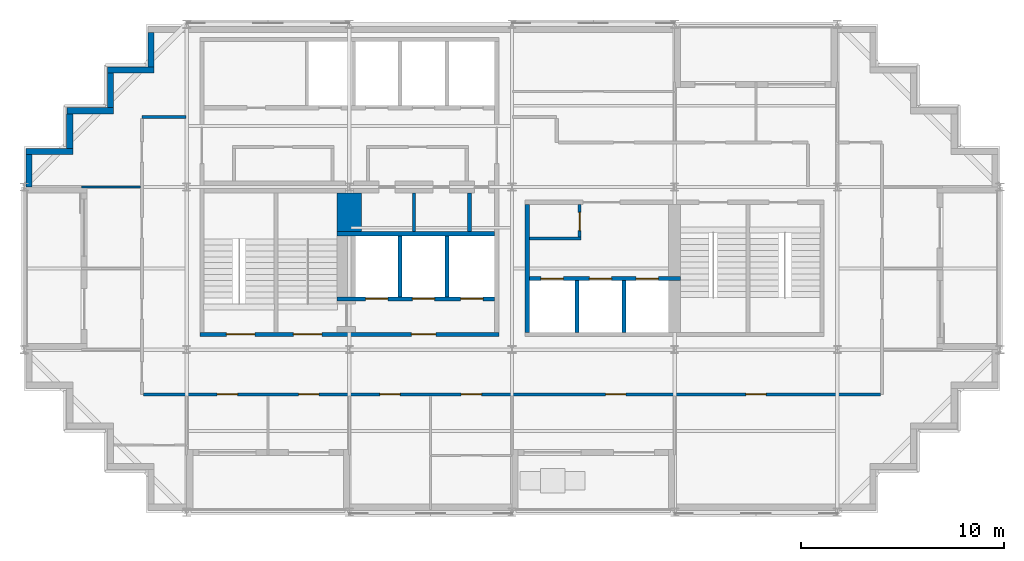
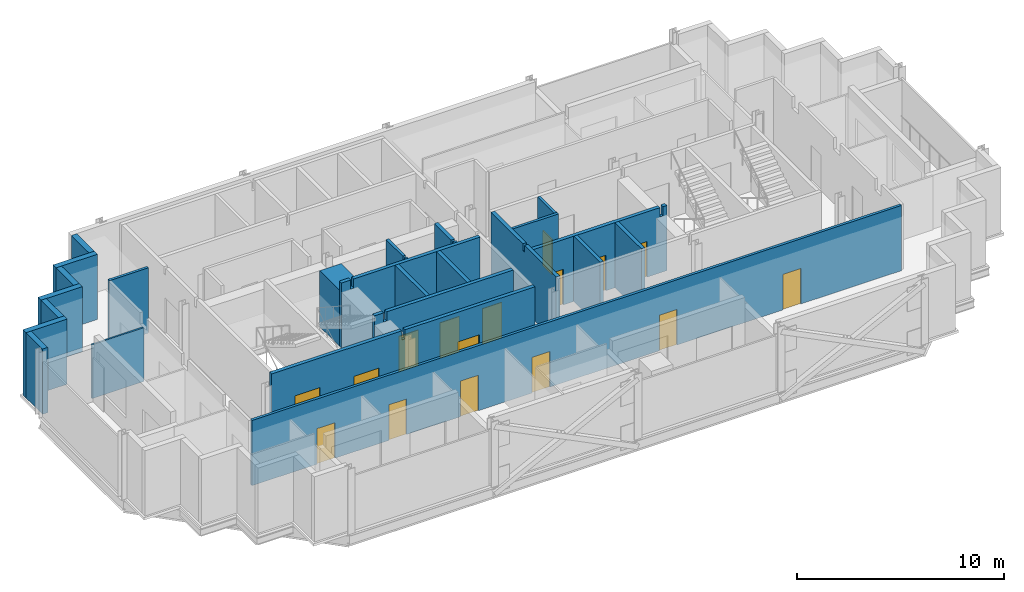
# One storey, part 5 of 10: 24 walls, 16 doors, 16 openings.
"""IFC4 building model written with IfcOpenShell, lengths in metres."""

from ifc_helpers import new_model, si_unit, direction, frame, frame_2d, origin, place, context, subcontext, project, spatial, polyline, rectangle, outline, extrude, material, layer, layer_set, type_object, element, fill, save


model = new_model("IFC4")

# Units and contexts
model_context = context("Model", 3, precision=1e-05, world=origin(), true_north=direction((0.0, 1.0)))
body_context = subcontext(model_context, "Body", "Model", "MODEL_VIEW")
ifc_project = project(units=[si_unit("LENGTHUNIT", "METRE"), si_unit("AREAUNIT", "SQUARE_METRE"), si_unit("VOLUMEUNIT", "CUBIC_METRE"), si_unit("PLANEANGLEUNIT", "RADIAN"), si_unit("MASSUNIT", "GRAM", prefix="KILO")], contexts=[model_context])

# Site, building, storey
site_placement = place(None, origin())
site = spatial("IfcSite", under=ifc_project, at=site_placement, CompositionType="ELEMENT")
building_placement = place(site_placement, origin())
building = spatial("IfcBuilding", under=site, at=building_placement, Name="Immortelle Media Tower", CompositionType="ELEMENT")
storey_placement = place(building_placement, frame((0.0, 0.0, 233.0)))
storey = spatial("IfcBuildingStorey", under=building, at=storey_placement, Name="L50", CompositionType="ELEMENT", Elevation=233.0)

# Walls
ifc_material_1 = material(Name="Fire-rated gypsum board", Category="gypsum")
ifc_layer_1 = layer(ifc_material_1, 0.02490234375)
ifc_material_2 = material(Name="Steel ASTM A653 SS Gr 50 stud frame with mineral wool", Category="steel")
ifc_layer_2 = layer(ifc_material_2, 0.10009765625)
ifc_layer_3 = layer(ifc_material_1, 0.02490234375)
ifc_layer_set_1 = layer_set([ifc_layer_1, ifc_layer_2, ifc_layer_3], Name="Steel ASTM A653 SS Gr 50 stud frame with mineral wool")
wall_type_1 = type_object("IfcWallType", Name="Core partition 150", PredefinedType="PARTITIONING", material=ifc_layer_set_1)
wall_1_placement = place(storey_placement, frame((19.175048828125, 13.800048828125, 0.0), z_axis=(0.0, 0.0, 1.0), x_axis=(0.0, 1.0, 0.0)))
element("IfcWall", 1, at=wall_1_placement, inside=storey, type_object=wall_type_1, Name="Core partition SW", PredefinedType="PARTITIONING", context=body_context, shape_type="SweptSolid", body=[
    extrude(outline(polyline([(0.0, 0.0), (1.89990234375, 0.0), (1.89990234375, 3.85009765625), (0.27490234375, 3.85009765625), (0.27392578125, 3.43994140625), (0.1259765625, 3.43994140625), (0.125, 3.85009765625), (0.0, 3.85009765625), (0.0, 0.0)])), frame((0.0, 0.074951171875, 0.0), z_axis=(0.0, -1.0, 0.0), x_axis=(1.0, 0.0, 0.0)), (0.0, 0.0, 1.0), 0.14990234375),
])
wall_2_placement = place(storey_placement, frame((24.85009765625, 13.47509765625, 0.0), z_axis=(0.0, 0.0, 1.0), x_axis=(1.0, 0.0, 0.0)))
element("IfcWall", 2, at=wall_2_placement, inside=storey, type_object=wall_type_1, Name="Core partition SE", PredefinedType="PARTITIONING", context=body_context, shape_type="SweptSolid", body=[
    extrude(rectangle(XDim=2.5498046875, YDim=0.14990234375, at=frame_2d((1.27490234375, 0.0))), origin(), (0.0, 0.0, 1.0), 3.85009765625),
])

# Wall, opening, door
wall_3_placement = place(storey_placement, frame((27.324951171875, 13.550048828125, 0.0), z_axis=(0.0, 0.0, 1.0), x_axis=(0.0, 1.0, 0.0)))
wall_3 = element("IfcWall", 3, at=wall_3_placement, inside=storey, type_object=wall_type_1, Name="Core partition SE", PredefinedType="PARTITIONING", context=body_context, shape_type="SweptSolid", body=[
    extrude(rectangle(XDim=1.599853515625, YDim=0.14990234375, at=frame_2d((0.7998046875, 0.0))), origin(), (0.0, 0.0, 1.0), 3.85009765625),
])
opening_1_placement = place(wall_3_placement, frame((0.300048828125, 0.0, 0.0)))
opening_1 = element("IfcOpeningElement", 4, at=opening_1_placement, cuts=wall_3, Name="Opening O6-K021", PredefinedType="OPENING", context=body_context, shape_type="SweptSolid", body=[
    extrude(rectangle(XDim=0.89990234375, YDim=2.10009765625, at=frame_2d((0.449951171875, 1.050048828125))), frame((0.0, 0.0849609375, 0.0), z_axis=(0.0, -1.0, 0.0), x_axis=(1.0, 0.0, 0.0)), (0.0, 0.0, 1.0), 0.169921875),
])
ifc_material_3 = material(Name="Galvanised steel door leaf and frame ASTM A653", Category="steel")
door_type_1 = type_object("IfcDoorType", Name="Service door 900 x 2100", OperationType="NOTDEFINED", PredefinedType="NOTDEFINED", material=ifc_material_3)
door_1_placement = place(opening_1_placement, origin())
door_1 = element("IfcDoor", 5, at=door_1_placement, inside=storey, type_object=door_type_1, Name="Service O6-K021", OperationType="SINGLE_SWING_RIGHT", OverallHeight=2.10009765625, OverallWidth=0.89990234375, PredefinedType="NOTDEFINED", context=body_context, shape_type="SweptSolid", body=[
    extrude(rectangle(XDim=0.89990234375, YDim=2.10009765625, at=frame_2d((0.449951171875, 1.050048828125))), frame((0.0, 0.02490234375, 0.0), z_axis=(0.0, -1.0, 0.0), x_axis=(1.0, 0.0, 0.0)), (0.0, 0.0, 1.0), 0.050048828125),
])
fill(opening_1, door_1)

# Wall, openings, doors
ifc_layer_4 = layer(ifc_material_1, 0.03759765625)
ifc_layer_5 = layer(ifc_material_2, 0.125)
ifc_layer_6 = layer(ifc_material_1, 0.03759765625)
ifc_layer_set_2 = layer_set([ifc_layer_4, ifc_layer_5, ifc_layer_6], Name="Steel ASTM A653 SS Gr 50 stud frame with mineral wool")
wall_type_2 = type_object("IfcWallType", Name="Core shaft wall 200", PredefinedType="PARTITIONING", material=ifc_layer_set_2)
wall_4_placement = place(storey_placement, frame((15.39990234375, 10.5, 0.0), z_axis=(0.0, 0.0, 1.0), x_axis=(1.0, 0.0, 0.0)))
wall_4 = element("IfcWall", 6, at=wall_4_placement, inside=storey, type_object=wall_type_2, Name="Core shaft wall SW", PredefinedType="PARTITIONING", context=body_context, shape_type="SweptSolid", body=[
    extrude(outline(polyline([(0.0, 0.0), (7.75, 0.0), (7.75, 3.85009765625), (0.6884765625, 3.85009765625), (0.6875, 3.30810546875), (0.512451171875, 3.30810546875), (0.511474609375, 3.85009765625), (0.0, 3.85009765625), (0.0, 0.0)])), frame((0.0, 0.10009765625, 0.0), z_axis=(0.0, -1.0, 0.0), x_axis=(1.0, 0.0, 0.0)), (0.0, 0.0, 1.0), 0.199951171875),
])
opening_2_placement = place(wall_4_placement, frame((1.39990234375, 0.0, 0.0)))
opening_2 = element("IfcOpeningElement", 7, at=opening_2_placement, cuts=wall_4, Name="Opening LD", PredefinedType="OPENING", context=body_context, shape_type="SweptSolid", body=[
    extrude(rectangle(XDim=1.10009765625, YDim=2.10009765625, at=frame_2d((0.550048828125, 1.050048828125))), frame((0.0, 0.10986328125, 0.0), z_axis=(0.0, -1.0, 0.0), x_axis=(1.0, 0.0, 0.0)), (0.0, 0.0, 1.0), 0.219970703125),
])
opening_3_placement = place(wall_4_placement, frame((3.699951171875, 0.0, 0.0)))
opening_3 = element("IfcOpeningElement", 8, at=opening_3_placement, cuts=wall_4, Name="Opening LD", PredefinedType="OPENING", context=body_context, shape_type="SweptSolid", body=[
    extrude(rectangle(XDim=1.10009765625, YDim=2.10009765625, at=frame_2d((0.550048828125, 1.050048828125))), frame((0.0, 0.10986328125, 0.0), z_axis=(0.0, -1.0, 0.0), x_axis=(1.0, 0.0, 0.0)), (0.0, 0.0, 1.0), 0.219970703125),
])
opening_4_placement = place(wall_4_placement, frame((6.074951171875, 0.0, 0.0)))
opening_4 = element("IfcOpeningElement", 9, at=opening_4_placement, cuts=wall_4, Name="Opening LD", PredefinedType="OPENING", context=body_context, shape_type="SweptSolid", body=[
    extrude(rectangle(XDim=1.10009765625, YDim=2.10009765625, at=frame_2d((0.550048828125, 1.050048828125))), frame((0.0, 0.10986328125, 0.0), z_axis=(0.0, -1.0, 0.0), x_axis=(1.0, 0.0, 0.0)), (0.0, 0.0, 1.0), 0.219970703125),
])
ifc_material_4 = material(Name="Stainless steel AISI 304", Category="steel")
door_type_2 = type_object("IfcDoorType", Name="Landing door 1100 x 2100", OperationType="SLIDING_TO_LEFT", PredefinedType="NOTDEFINED", material=ifc_material_4)
door_2_placement = place(opening_2_placement, origin())
door_2 = element("IfcDoor", 10, at=door_2_placement, inside=storey, type_object=door_type_2, Name="Landing door FF1 L50", OperationType="SLIDING_TO_LEFT", OverallHeight=2.10009765625, OverallWidth=1.10009765625, PredefinedType="NOTDEFINED", context=body_context, shape_type="SweptSolid", body=[
    extrude(rectangle(XDim=1.10009765625, YDim=2.10009765625, at=frame_2d((0.550048828125, 1.050048828125))), frame((0.0, 0.02490234375, 0.0), z_axis=(0.0, -1.0, 0.0), x_axis=(1.0, 0.0, 0.0)), (0.0, 0.0, 1.0), 0.050048828125),
])
fill(opening_2, door_2)
door_3_placement = place(opening_3_placement, origin())
door_3 = element("IfcDoor", 11, at=door_3_placement, inside=storey, type_object=door_type_2, Name="Landing door FF2 L50", OperationType="SLIDING_TO_LEFT", OverallHeight=2.10009765625, OverallWidth=1.10009765625, PredefinedType="NOTDEFINED", context=body_context, shape_type="SweptSolid", body=[
    extrude(rectangle(XDim=1.10009765625, YDim=2.10009765625, at=frame_2d((0.550048828125, 1.050048828125))), frame((0.0, 0.02490234375, 0.0), z_axis=(0.0, -1.0, 0.0), x_axis=(1.0, 0.0, 0.0)), (0.0, 0.0, 1.0), 0.050048828125),
])
fill(opening_3, door_3)
door_4_placement = place(opening_4_placement, origin())
door_4 = element("IfcDoor", 12, at=door_4_placement, inside=storey, type_object=door_type_2, Name="Landing door FF3 L50", OperationType="SLIDING_TO_LEFT", OverallHeight=2.10009765625, OverallWidth=1.10009765625, PredefinedType="NOTDEFINED", context=body_context, shape_type="SweptSolid", body=[
    extrude(rectangle(XDim=1.10009765625, YDim=2.10009765625, at=frame_2d((0.550048828125, 1.050048828125))), frame((0.0, 0.02490234375, 0.0), z_axis=(0.0, -1.0, 0.0), x_axis=(1.0, 0.0, 0.0)), (0.0, 0.0, 1.0), 0.050048828125),
])
fill(opening_4, door_4)

# Walls
wall_5_placement = place(storey_placement, frame((15.39990234375, 13.699951171875, 0.0), z_axis=(0.0, 0.0, 1.0), x_axis=(1.0, 0.0, 0.0)))
element("IfcWall", 13, at=wall_5_placement, inside=storey, type_object=wall_type_2, Name="Core shaft wall SW", PredefinedType="PARTITIONING", context=body_context, shape_type="SweptSolid", body=[
    extrude(outline(polyline([(0.0, 0.0), (7.75, 0.0), (7.75, 3.85009765625), (0.6884765625, 3.85009765625), (0.6875, 3.30810546875), (0.512451171875, 3.30810546875), (0.511474609375, 3.85009765625), (0.0, 3.85009765625), (0.0, 0.0)])), frame((0.0, 0.10009765625, 0.0), z_axis=(0.0, -1.0, 0.0), x_axis=(1.0, 0.0, 0.0)), (0.0, 0.0, 1.0), 0.199951171875),
])
for number, where, z_axis, x_axis, name in (
    (14, (18.5, 10.60009765625, 0.0), (0.0, 0.0, 1.0), (0.0, 1.0, 0.0), "Core shaft wall SW"),
    (15, (20.800048828125, 10.60009765625, 0.0), (0.0, 0.0, 1.0), (0.0, 1.0, 0.0), "Core shaft wall SW"),
):
    element("IfcWall", number, at=place(storey_placement, frame(where, z_axis=z_axis, x_axis=x_axis)), inside=storey, type_object=wall_type_2, Name=name, PredefinedType="PARTITIONING", context=body_context, shape_type="SweptSolid", body=[
        extrude(rectangle(XDim=3.0, YDim=0.199951171875, at=frame_2d((1.5, 0.0))), origin(), (0.0, 0.0, 1.0), 3.85009765625),
    ])
wall_6_placement = place(storey_placement, frame((21.89990234375, 13.800048828125, 0.0), z_axis=(0.0, 0.0, 1.0), x_axis=(0.0, 1.0, 0.0)))
element("IfcWall", 16, at=wall_6_placement, inside=storey, type_object=wall_type_2, Name="Core shaft wall SW", PredefinedType="PARTITIONING", context=body_context, shape_type="SweptSolid", body=[
    extrude(outline(polyline([(0.0, 0.0), (1.89990234375, 0.0), (1.89990234375, 3.85009765625), (0.27490234375, 3.85009765625), (0.27392578125, 3.43994140625), (0.1259765625, 3.43994140625), (0.125, 3.85009765625), (0.0, 3.85009765625), (0.0, 0.0)])), frame((0.0, 0.10009765625, 0.0), z_axis=(0.0, -1.0, 0.0), x_axis=(1.0, 0.0, 0.0)), (0.0, 0.0, 1.0), 0.199951171875),
])
wall_7_placement = place(storey_placement, frame((24.75, 8.85009765625, 0.0), z_axis=(0.0, 0.0, 1.0), x_axis=(0.0, 1.0, 0.0)))
element("IfcWall", 17, at=wall_7_placement, inside=storey, type_object=wall_type_2, Name="Core shaft wall SE", PredefinedType="PARTITIONING", context=body_context, shape_type="SweptSolid", body=[
    extrude(outline(polyline([(0.0, 0.0), (6.2998046875, 0.0), (6.300048828125, 3.85009765625), (3.22509765625, 3.85009765625), (3.22412109375, 3.43994140625), (3.075927734375, 3.43994140625), (3.074951171875, 3.85009765625), (0.0, 3.85009765625), (0.0, 0.0)])), frame((0.0, 0.10009765625, 0.0), z_axis=(0.0, -1.0, 0.0), x_axis=(1.0, 0.0, 0.0)), (0.0, 0.0, 1.0), 0.199951171875),
])

# Wall, openings, doors
wall_8_placement = place(storey_placement, frame((24.85009765625, 11.5, 0.0), z_axis=(0.0, 0.0, 1.0), x_axis=(1.0, 0.0, 0.0)))
wall_8 = element("IfcWall", 18, at=wall_8_placement, inside=storey, type_object=wall_type_2, Name="Core shaft wall SE", PredefinedType="PARTITIONING", context=body_context, shape_type="SweptSolid", body=[
    extrude(outline(polyline([(0.0, 0.0), (7.449951171875, 0.0), (7.449951171875, 3.85009765625), (7.238525390625, 3.85009765625), (7.237548828125, 3.30810546875), (7.0625, 3.30810546875), (7.0615234375, 3.85009765625), (0.0, 3.85009765625), (0.0, 0.0)])), frame((0.0, 0.10009765625, 0.0), z_axis=(0.0, -1.0, 0.0), x_axis=(1.0, 0.0, 0.0)), (0.0, 0.0, 1.0), 0.199951171875),
])
opening_5_placement = place(wall_8_placement, frame((0.574951171875, 0.0, 0.0)))
opening_5 = element("IfcOpeningElement", 19, at=opening_5_placement, cuts=wall_8, Name="Opening LD", PredefinedType="OPENING", context=body_context, shape_type="SweptSolid", body=[
    extrude(rectangle(XDim=1.10009765625, YDim=2.10009765625, at=frame_2d((0.550048828125, 1.050048828125))), frame((0.0, 0.10986328125, 0.0), z_axis=(0.0, -1.0, 0.0), x_axis=(1.0, 0.0, 0.0)), (0.0, 0.0, 1.0), 0.219970703125),
])
opening_6_placement = place(wall_8_placement, frame((2.949951171875, 0.0, 0.0)))
opening_6 = element("IfcOpeningElement", 20, at=opening_6_placement, cuts=wall_8, Name="Opening LD", PredefinedType="OPENING", context=body_context, shape_type="SweptSolid", body=[
    extrude(rectangle(XDim=1.10009765625, YDim=2.10009765625, at=frame_2d((0.550048828125, 1.050048828125))), frame((0.0, 0.10986328125, 0.0), z_axis=(0.0, -1.0, 0.0), x_axis=(1.0, 0.0, 0.0)), (0.0, 0.0, 1.0), 0.219970703125),
])
opening_7_placement = place(wall_8_placement, frame((5.25, 0.0, 0.0)))
opening_7 = element("IfcOpeningElement", 21, at=opening_7_placement, cuts=wall_8, Name="Opening LD", PredefinedType="OPENING", context=body_context, shape_type="SweptSolid", body=[
    extrude(rectangle(XDim=1.10009765625, YDim=2.10009765625, at=frame_2d((0.550048828125, 1.050048828125))), frame((0.0, 0.10986328125, 0.0), z_axis=(0.0, -1.0, 0.0), x_axis=(1.0, 0.0, 0.0)), (0.0, 0.0, 1.0), 0.219970703125),
])
door_5_placement = place(opening_5_placement, origin())
door_5 = element("IfcDoor", 22, at=door_5_placement, inside=storey, type_object=door_type_2, Name="Landing door HS1 L50", OperationType="SLIDING_TO_LEFT", OverallHeight=2.10009765625, OverallWidth=1.10009765625, PredefinedType="NOTDEFINED", context=body_context, shape_type="SweptSolid", body=[
    extrude(rectangle(XDim=1.10009765625, YDim=2.10009765625, at=frame_2d((0.550048828125, 1.050048828125))), frame((0.0, 0.02490234375, 0.0), z_axis=(0.0, -1.0, 0.0), x_axis=(1.0, 0.0, 0.0)), (0.0, 0.0, 1.0), 0.050048828125),
])
fill(opening_5, door_5)
door_6_placement = place(opening_6_placement, origin())
door_6 = element("IfcDoor", 23, at=door_6_placement, inside=storey, type_object=door_type_2, Name="Landing door HS2 L50", OperationType="SLIDING_TO_LEFT", OverallHeight=2.10009765625, OverallWidth=1.10009765625, PredefinedType="NOTDEFINED", context=body_context, shape_type="SweptSolid", body=[
    extrude(rectangle(XDim=1.10009765625, YDim=2.10009765625, at=frame_2d((0.550048828125, 1.050048828125))), frame((0.0, 0.02490234375, 0.0), z_axis=(0.0, -1.0, 0.0), x_axis=(1.0, 0.0, 0.0)), (0.0, 0.0, 1.0), 0.050048828125),
])
fill(opening_6, door_6)
door_7_placement = place(opening_7_placement, origin())
door_7 = element("IfcDoor", 24, at=door_7_placement, inside=storey, type_object=door_type_2, Name="Landing door HS3 L50", OperationType="SLIDING_TO_LEFT", OverallHeight=2.10009765625, OverallWidth=1.10009765625, PredefinedType="NOTDEFINED", context=body_context, shape_type="SweptSolid", body=[
    extrude(rectangle(XDim=1.10009765625, YDim=2.10009765625, at=frame_2d((0.550048828125, 1.050048828125))), frame((0.0, 0.02490234375, 0.0), z_axis=(0.0, -1.0, 0.0), x_axis=(1.0, 0.0, 0.0)), (0.0, 0.0, 1.0), 0.050048828125),
])
fill(opening_7, door_7)

# Walls
for number, where, z_axis, x_axis, name in (
    (25, (27.199951171875, 8.85009765625, 0.0), (0.0, 0.0, 1.0), (0.0, 1.0, 0.0), "Core shaft wall SE"),
    (26, (29.5, 8.85009765625, 0.0), (0.0, 0.0, 1.0), (0.0, 1.0, 0.0), "Core shaft wall SE"),
):
    element("IfcWall", number, at=place(storey_placement, frame(where, z_axis=z_axis, x_axis=x_axis)), inside=storey, type_object=wall_type_2, Name=name, PredefinedType="PARTITIONING", context=body_context, shape_type="SweptSolid", body=[
        extrude(rectangle(XDim=2.5498046875, YDim=0.199951171875, at=frame_2d((1.27490234375, 0.0))), origin(), (0.0, 0.0, 1.0), 3.85009765625),
    ])

# Wall, openings, doors
ifc_layer_7 = layer(ifc_material_1, 0.012451171875)
ifc_layer_8 = layer(ifc_material_2, 0.125)
ifc_layer_9 = layer(ifc_material_1, 0.012451171875)
ifc_layer_set_3 = layer_set([ifc_layer_7, ifc_layer_8, ifc_layer_9], Name="Steel ASTM A653 SS Gr 50 stud frame with mineral wool")
wall_type_3 = type_object("IfcWallType", Name="Corridor wall 150", PredefinedType="PARTITIONING", material=ifc_layer_set_3)
wall_9_placement = place(storey_placement, frame((5.875, 5.800048828125, 0.0), z_axis=(0.0, 0.0, 1.0), x_axis=(1.0, 0.0, 0.0)))
wall_9 = element("IfcWall", 27, at=wall_9_placement, inside=storey, type_object=wall_type_3, Name="Partition L50-011", PredefinedType="PARTITIONING", context=body_context, shape_type="SweptSolid", body=[
    extrude(rectangle(XDim=36.25, YDim=0.14990234375, at=frame_2d((18.125, 0.0))), origin(), (0.0, 0.0, 1.0), 3.85009765625),
])
opening_8_placement = place(wall_9_placement, frame((11.625, 0.0, 0.0)))
opening_8 = element("IfcOpeningElement", 28, at=opening_8_placement, cuts=wall_9, Name="Opening O6-F001", PredefinedType="OPENING", context=body_context, shape_type="SweptSolid", body=[
    extrude(rectangle(XDim=1.0, YDim=2.10009765625, at=frame_2d((0.5, 1.050048828125))), frame((0.0, 0.0849609375, 0.0), z_axis=(0.0, -1.0, 0.0), x_axis=(1.0, 0.0, 0.0)), (0.0, 0.0, 1.0), 0.169921875),
])
opening_9_placement = place(wall_9_placement, frame((16.625, 0.0, 0.0), z_axis=(0.0, 0.0, 1.0), x_axis=(-1.0, 0.0, 0.0)))
opening_9 = element("IfcOpeningElement", 29, at=opening_9_placement, cuts=wall_9, Name="Opening O6-F002", PredefinedType="OPENING", context=body_context, shape_type="SweptSolid", body=[
    extrude(rectangle(XDim=1.0, YDim=2.10009765625, at=frame_2d((0.5, 1.050048828125))), frame((0.0, 0.0849609375, 0.0), z_axis=(0.0, -1.0, 0.0), x_axis=(1.0, 0.0, 0.0)), (0.0, 0.0, 1.0), 0.169921875),
])
opening_10_placement = place(wall_9_placement, frame((29.625, 0.0, 0.0)))
opening_10 = element("IfcOpeningElement", 30, at=opening_10_placement, cuts=wall_9, Name="Opening O6-F004", PredefinedType="OPENING", context=body_context, shape_type="SweptSolid", body=[
    extrude(rectangle(XDim=1.0, YDim=2.10009765625, at=frame_2d((0.5, 1.050048828125))), frame((0.0, 0.0849609375, 0.0), z_axis=(0.0, -1.0, 0.0), x_axis=(1.0, 0.0, 0.0)), (0.0, 0.0, 1.0), 0.169921875),
])
opening_11_placement = place(wall_9_placement, frame((4.625, 0.0, 0.0), z_axis=(0.0, 0.0, 1.0), x_axis=(-1.0, 0.0, 0.0)))
opening_11 = element("IfcOpeningElement", 31, at=opening_11_placement, cuts=wall_9, Name="Opening O6-F005", PredefinedType="OPENING", context=body_context, shape_type="SweptSolid", body=[
    extrude(rectangle(XDim=1.0, YDim=2.10009765625, at=frame_2d((0.5, 1.050048828125))), frame((0.0, 0.0849609375, 0.0), z_axis=(0.0, -1.0, 0.0), x_axis=(1.0, 0.0, 0.0)), (0.0, 0.0, 1.0), 0.169921875),
])
opening_12_placement = place(wall_9_placement, frame((8.625, 0.0, 0.0), z_axis=(0.0, 0.0, 1.0), x_axis=(-1.0, 0.0, 0.0)))
opening_12 = element("IfcOpeningElement", 32, at=opening_12_placement, cuts=wall_9, Name="Opening O6-F006", PredefinedType="OPENING", context=body_context, shape_type="SweptSolid", body=[
    extrude(rectangle(XDim=1.0, YDim=2.10009765625, at=frame_2d((0.5, 1.050048828125))), frame((0.0, 0.0849609375, 0.0), z_axis=(0.0, -1.0, 0.0), x_axis=(1.0, 0.0, 0.0)), (0.0, 0.0, 1.0), 0.169921875),
])
opening_13_placement = place(wall_9_placement, frame((22.72509765625, 0.0, 0.0)))
opening_13 = element("IfcOpeningElement", 33, at=opening_13_placement, cuts=wall_9, Name="Opening O6-F007", PredefinedType="OPENING", context=body_context, shape_type="SweptSolid", body=[
    extrude(rectangle(XDim=1.0, YDim=2.10009765625, at=frame_2d((0.5, 1.050048828125))), frame((0.0, 0.0849609375, 0.0), z_axis=(0.0, -1.0, 0.0), x_axis=(1.0, 0.0, 0.0)), (0.0, 0.0, 1.0), 0.169921875),
])
ifc_material_5 = material(Name="Timber veneered door leaf, galvanised steel frame ASTM A653", Category="steel")
door_type_3 = type_object("IfcDoorType", Name="Room door 1000 x 2100", OperationType="NOTDEFINED", PredefinedType="DOOR", material=ifc_material_5)
door_8_placement = place(opening_8_placement, origin())
door_8 = element("IfcDoor", 34, at=door_8_placement, inside=storey, type_object=door_type_3, Name="Door O6-F001", OperationType="SINGLE_SWING_LEFT", OverallHeight=2.10009765625, OverallWidth=1.0, PredefinedType="DOOR", context=body_context, shape_type="SweptSolid", body=[
    extrude(rectangle(XDim=1.0, YDim=2.10009765625, at=frame_2d((0.5, 1.050048828125))), frame((0.0, 0.02490234375, 0.0), z_axis=(0.0, -1.0, 0.0), x_axis=(1.0, 0.0, 0.0)), (0.0, 0.0, 1.0), 0.050048828125),
])
fill(opening_8, door_8)
door_9_placement = place(opening_9_placement, origin())
door_9 = element("IfcDoor", 35, at=door_9_placement, inside=storey, type_object=door_type_3, Name="Door O6-F002", OperationType="SINGLE_SWING_RIGHT", OverallHeight=2.10009765625, OverallWidth=1.0, PredefinedType="DOOR", context=body_context, shape_type="SweptSolid", body=[
    extrude(rectangle(XDim=1.0, YDim=2.10009765625, at=frame_2d((0.5, 1.050048828125))), frame((0.0, 0.02490234375, 0.0), z_axis=(0.0, -1.0, 0.0), x_axis=(1.0, 0.0, 0.0)), (0.0, 0.0, 1.0), 0.050048828125),
])
fill(opening_9, door_9)
door_10_placement = place(opening_10_placement, origin())
door_10 = element("IfcDoor", 36, at=door_10_placement, inside=storey, type_object=door_type_3, Name="Door O6-F004", OperationType="SINGLE_SWING_RIGHT", OverallHeight=2.10009765625, OverallWidth=1.0, PredefinedType="DOOR", context=body_context, shape_type="SweptSolid", body=[
    extrude(rectangle(XDim=1.0, YDim=2.10009765625, at=frame_2d((0.5, 1.050048828125))), frame((0.0, 0.02490234375, 0.0), z_axis=(0.0, -1.0, 0.0), x_axis=(1.0, 0.0, 0.0)), (0.0, 0.0, 1.0), 0.050048828125),
])
fill(opening_10, door_10)
door_11_placement = place(opening_11_placement, origin())
door_11 = element("IfcDoor", 37, at=door_11_placement, inside=storey, type_object=door_type_3, Name="Door O6-F005", OperationType="SINGLE_SWING_RIGHT", OverallHeight=2.10009765625, OverallWidth=1.0, PredefinedType="DOOR", context=body_context, shape_type="SweptSolid", body=[
    extrude(rectangle(XDim=1.0, YDim=2.10009765625, at=frame_2d((0.5, 1.050048828125))), frame((0.0, 0.02490234375, 0.0), z_axis=(0.0, -1.0, 0.0), x_axis=(1.0, 0.0, 0.0)), (0.0, 0.0, 1.0), 0.050048828125),
])
fill(opening_11, door_11)
door_12_placement = place(opening_12_placement, origin())
door_12 = element("IfcDoor", 38, at=door_12_placement, inside=storey, type_object=door_type_3, Name="Door O6-F006", OperationType="SINGLE_SWING_RIGHT", OverallHeight=2.10009765625, OverallWidth=1.0, PredefinedType="DOOR", context=body_context, shape_type="SweptSolid", body=[
    extrude(rectangle(XDim=1.0, YDim=2.10009765625, at=frame_2d((0.5, 1.050048828125))), frame((0.0, 0.02490234375, 0.0), z_axis=(0.0, -1.0, 0.0), x_axis=(1.0, 0.0, 0.0)), (0.0, 0.0, 1.0), 0.050048828125),
])
fill(opening_12, door_12)
door_13_placement = place(opening_13_placement, origin())
door_13 = element("IfcDoor", 39, at=door_13_placement, inside=storey, type_object=door_type_3, Name="Door O6-F007", OperationType="SINGLE_SWING_RIGHT", OverallHeight=2.10009765625, OverallWidth=1.0, PredefinedType="DOOR", context=body_context, shape_type="SweptSolid", body=[
    extrude(rectangle(XDim=1.0, YDim=2.10009765625, at=frame_2d((0.5, 1.050048828125))), frame((0.0, 0.02490234375, 0.0), z_axis=(0.0, -1.0, 0.0), x_axis=(1.0, 0.0, 0.0)), (0.0, 0.0, 1.0), 0.050048828125),
])
fill(opening_13, door_13)

# Walls
wall_10_placement = place(storey_placement, frame((5.800048828125, 19.449951171875, 0.0), z_axis=(0.0, 0.0, 1.0), x_axis=(1.0, 0.0, 0.0)))
element("IfcWall", 40, at=wall_10_placement, inside=storey, type_object=wall_type_3, Name="Partition L50-028", PredefinedType="PARTITIONING", context=body_context, shape_type="SweptSolid", body=[
    extrude(rectangle(XDim=2.169921875, YDim=0.14990234375, at=frame_2d((1.0849609375, 0.0))), origin(), (0.0, 0.0, 1.0), 3.85009765625),
])
ifc_material_6 = material(Name="Pale aluminium cladding panel", Category="aluminium")
ifc_layer_10 = layer(ifc_material_6, 0.030029296875)
ifc_layer_11 = layer(ifc_material_2, 0.257568359375)
ifc_material_7 = material(Name="Moisture-resistant gypsum board", Category="gypsum")
ifc_layer_12 = layer(ifc_material_7, 0.012451171875)
ifc_layer_set_4 = layer_set([ifc_layer_10, ifc_layer_11, ifc_layer_12], Name="Steel ASTM A653 SS Gr 50 stud frame with mineral wool")
wall_type_4 = type_object("IfcWallType", Name="Facade wall 300", PredefinedType="SOLIDWALL", material=ifc_layer_set_4)
wall_11_placement = place(storey_placement, frame((6.25, 23.60009765625, 0.0), z_axis=(0.0, 0.0, 1.0), x_axis=(0.0, -1.0, 0.0)))
element("IfcWall", 41, at=wall_11_placement, inside=storey, type_object=wall_type_4, Name="Facade wall L50 W21", PredefinedType="SOLIDWALL", context=body_context, shape_type="SweptSolid", body=[
    extrude(rectangle(XDim=1.7001953125, YDim=0.300048828125, at=frame_2d((0.85009765625, 0.0))), origin(), (0.0, 0.0, 1.0), 3.85009765625),
])
wall_12_placement = place(storey_placement, frame((6.39990234375, 21.75, 0.0), z_axis=(0.0, 0.0, 1.0), x_axis=(-1.0, 0.0, 0.0)))
element("IfcWall", 42, at=wall_12_placement, inside=storey, type_object=wall_type_4, Name="Facade wall L50 N22", PredefinedType="SOLIDWALL", context=body_context, shape_type="SweptSolid", body=[
    extrude(rectangle(XDim=2.2998046875, YDim=0.300048828125, at=frame_2d((1.14990234375, 0.0))), origin(), (0.0, 0.0, 1.0), 3.85009765625),
])
wall_13_placement = place(storey_placement, frame((4.25, 21.60009765625, 0.0), z_axis=(0.0, 0.0, 1.0), x_axis=(0.0, -1.0, 0.0)))
element("IfcWall", 43, at=wall_13_placement, inside=storey, type_object=wall_type_4, Name="Facade wall L50 W23", PredefinedType="SOLIDWALL", context=body_context, shape_type="SweptSolid", body=[
    extrude(rectangle(XDim=1.7001953125, YDim=0.300048828125, at=frame_2d((0.85009765625, 0.0))), origin(), (0.0, 0.0, 1.0), 3.85009765625),
])
wall_14_placement = place(storey_placement, frame((4.39990234375, 19.75, 0.0), z_axis=(0.0, 0.0, 1.0), x_axis=(-1.0, 0.0, 0.0)))
element("IfcWall", 44, at=wall_14_placement, inside=storey, type_object=wall_type_4, Name="Facade wall L50 N24", PredefinedType="SOLIDWALL", context=body_context, shape_type="SweptSolid", body=[
    extrude(rectangle(XDim=2.2998046875, YDim=0.300048828125, at=frame_2d((1.14990234375, 0.0))), origin(), (0.0, 0.0, 1.0), 3.85009765625),
])
wall_15_placement = place(storey_placement, frame((2.25, 19.60009765625, 0.0), z_axis=(0.0, 0.0, 1.0), x_axis=(0.0, -1.0, 0.0)))
element("IfcWall", 45, at=wall_15_placement, inside=storey, type_object=wall_type_4, Name="Facade wall L50 W25", PredefinedType="SOLIDWALL", context=body_context, shape_type="SweptSolid", body=[
    extrude(rectangle(XDim=1.7001953125, YDim=0.300048828125, at=frame_2d((0.85009765625, 0.0))), origin(), (0.0, 0.0, 1.0), 3.85009765625),
])
wall_16_placement = place(storey_placement, frame((2.39990234375, 17.75, 0.0), z_axis=(0.0, 0.0, 1.0), x_axis=(-1.0, 0.0, 0.0)))
element("IfcWall", 46, at=wall_16_placement, inside=storey, type_object=wall_type_4, Name="Facade wall L50 N26", PredefinedType="SOLIDWALL", context=body_context, shape_type="SweptSolid", body=[
    extrude(rectangle(XDim=2.2998046875, YDim=0.300048828125, at=frame_2d((1.14990234375, 0.0))), origin(), (0.0, 0.0, 1.0), 3.85009765625),
])
wall_17_placement = place(storey_placement, frame((0.25, 17.60009765625, 0.0), z_axis=(0.0, 0.0, 1.0), x_axis=(0.0, -1.0, 0.0)))
element("IfcWall", 47, at=wall_17_placement, inside=storey, type_object=wall_type_4, Name="Facade wall L50 W27", PredefinedType="SOLIDWALL", context=body_context, shape_type="SweptSolid", body=[
    extrude(rectangle(XDim=1.60009765625, YDim=0.300048828125, at=frame_2d((0.800048828125, 0.0))), origin(), (0.0, 0.0, 1.0), 3.85009765625),
])
ifc_material_8 = material(Name="Gypsum board", Category="gypsum")
ifc_layer_13 = layer(ifc_material_8, 0.012451171875)
ifc_layer_14 = layer(ifc_material_2, 0.074951171875)
ifc_layer_15 = layer(ifc_material_8, 0.012451171875)
ifc_layer_set_5 = layer_set([ifc_layer_13, ifc_layer_14, ifc_layer_15], Name="Steel ASTM A653 SS Gr 50 stud frame with mineral wool")
wall_type_5 = type_object("IfcWallType", Name="Partition 100", PredefinedType="PARTITIONING", material=ifc_layer_set_5)
wall_18_placement = place(storey_placement, frame((2.830078125, 16.0, 0.0), z_axis=(0.0, 0.0, 1.0), x_axis=(1.0, 0.0, 0.0)))
element("IfcWall", 48, at=wall_18_placement, inside=storey, type_object=wall_type_5, Name="Partition L50-018", PredefinedType="PARTITIONING", context=body_context, shape_type="SweptSolid", body=[
    extrude(rectangle(XDim=2.89501953125, YDim=0.10009765625, at=frame_2d((1.447509765625, 0.0))), origin(), (0.0, 0.0, 1.0), 3.172119140625),
])
ifc_material_9 = material(Name="Concrete C60", Category="concrete")
ifc_layer_16 = layer(ifc_material_9, 1.199951171875)
ifc_layer_set_6 = layer_set([ifc_layer_16], Name="Concrete C60")
wall_type_6 = type_object("IfcWallType", Name="Stair shaft wall 1200", PredefinedType="PARTITIONING", material=ifc_layer_set_6)
wall_19_placement = place(storey_placement, frame((16.0, 13.800048828125, 0.0), z_axis=(0.0, 0.0, 1.0), x_axis=(0.0, 1.0, 0.0)))
element("IfcWall", 49, at=wall_19_placement, inside=storey, type_object=wall_type_6, Name="Stair shaft wall SW", PredefinedType="PARTITIONING", context=body_context, shape_type="SweptSolid", body=[
    extrude(rectangle(XDim=1.89990234375, YDim=1.199951171875, at=frame_2d((0.949951171875, 0.0))), origin(), (0.0, 0.0, 1.0), 3.30810546875),
])

# Wall, openings, doors
ifc_layer_17 = layer(ifc_material_9, 0.199951171875)
ifc_layer_set_7 = layer_set([ifc_layer_17], Name="Concrete C60")
wall_type_7 = type_object("IfcWallType", Name="Stair shaft wall 200", PredefinedType="PARTITIONING", material=ifc_layer_set_7)
wall_20_placement = place(storey_placement, frame((8.64990234375, 8.75, 0.0), z_axis=(0.0, 0.0, 1.0), x_axis=(1.0, 0.0, 0.0)))
wall_20 = element("IfcWall", 50, at=wall_20_placement, inside=storey, type_object=wall_type_7, Name="Stair shaft wall SW", PredefinedType="PARTITIONING", context=body_context, shape_type="SweptSolid", body=[
    extrude(outline(polyline([(0.0, 0.0), (14.7001953125, 0.0), (14.699951171875, 3.85009765625), (7.4384765625, 3.85009765625), (7.4375, 3.30810546875), (7.262451171875, 3.30810546875), (7.261474609375, 3.85009765625), (0.0, 3.85009765625), (0.0, 0.0)])), frame((0.0, 0.10009765625, 0.0), z_axis=(0.0, -1.0, 0.0), x_axis=(1.0, 0.0, 0.0)), (0.0, 0.0, 1.0), 0.199951171875),
])
opening_14_placement = place(wall_20_placement, frame((1.300048828125, 0.0, 0.0)))
opening_14 = element("IfcOpeningElement", 51, at=opening_14_placement, cuts=wall_20, Name="Opening O6-K002", PredefinedType="OPENING", context=body_context, shape_type="SweptSolid", body=[
    extrude(rectangle(XDim=1.39990234375, YDim=2.10009765625, at=frame_2d((0.699951171875, 1.050048828125))), frame((0.0, 0.10986328125, 0.0), z_axis=(0.0, -1.0, 0.0), x_axis=(1.0, 0.0, 0.0)), (0.0, 0.0, 1.0), 0.219970703125),
])
opening_15_placement = place(wall_20_placement, frame((4.60009765625, 0.0, 0.0)))
opening_15 = element("IfcOpeningElement", 52, at=opening_15_placement, cuts=wall_20, Name="Opening O6-K005", PredefinedType="OPENING", context=body_context, shape_type="SweptSolid", body=[
    extrude(rectangle(XDim=1.39990234375, YDim=2.10009765625, at=frame_2d((0.699951171875, 1.050048828125))), frame((0.0, 0.10986328125, 0.0), z_axis=(0.0, -1.0, 0.0), x_axis=(1.0, 0.0, 0.0)), (0.0, 0.0, 1.0), 0.219970703125),
])
opening_16_placement = place(wall_20_placement, frame((10.39990234375, 0.0, 0.0)))
opening_16 = element("IfcOpeningElement", 53, at=opening_16_placement, cuts=wall_20, Name="Opening O6-K012", PredefinedType="OPENING", context=body_context, shape_type="SweptSolid", body=[
    extrude(rectangle(XDim=1.199951171875, YDim=2.10009765625, at=frame_2d((0.60009765625, 1.050048828125))), frame((0.0, 0.10986328125, 0.0), z_axis=(0.0, -1.0, 0.0), x_axis=(1.0, 0.0, 0.0)), (0.0, 0.0, 1.0), 0.219970703125),
])
door_type_4 = type_object("IfcDoorType", Name="Fire-fighting lobby door 1200 x 2100", OperationType="NOTDEFINED", PredefinedType="NOTDEFINED", material=ifc_material_3)
door_14_placement = place(opening_16_placement, origin())
door_14 = element("IfcDoor", 54, at=door_14_placement, inside=storey, type_object=door_type_4, Name="Fire-fighting lobby O6-K012", OperationType="SINGLE_SWING_LEFT", OverallHeight=2.10009765625, OverallWidth=1.199951171875, PredefinedType="NOTDEFINED", context=body_context, shape_type="SweptSolid", body=[
    extrude(rectangle(XDim=1.199951171875, YDim=2.10009765625, at=frame_2d((0.60009765625, 1.050048828125))), frame((0.0, 0.02490234375, 0.0), z_axis=(0.0, -1.0, 0.0), x_axis=(1.0, 0.0, 0.0)), (0.0, 0.0, 1.0), 0.050048828125),
])
fill(opening_16, door_14)
door_type_5 = type_object("IfcDoorType", Name="Stair door 1400 x 2100", OperationType="DOUBLE_DOOR_SINGLE_SWING", PredefinedType="NOTDEFINED", material=ifc_material_3)
door_15_placement = place(opening_14_placement, origin())
door_15 = element("IfcDoor", 55, at=door_15_placement, inside=storey, type_object=door_type_5, Name="Stair O6-K002", OperationType="DOUBLE_DOOR_SINGLE_SWING", OverallHeight=2.10009765625, OverallWidth=1.39990234375, PredefinedType="NOTDEFINED", context=body_context, shape_type="SweptSolid", body=[
    extrude(rectangle(XDim=1.39990234375, YDim=2.10009765625, at=frame_2d((0.699951171875, 1.050048828125))), frame((0.0, 0.02490234375, 0.0), z_axis=(0.0, -1.0, 0.0), x_axis=(1.0, 0.0, 0.0)), (0.0, 0.0, 1.0), 0.050048828125),
])
fill(opening_14, door_15)
door_16_placement = place(opening_15_placement, origin())
door_16 = element("IfcDoor", 56, at=door_16_placement, inside=storey, type_object=door_type_5, Name="Stair O6-K005", OperationType="DOUBLE_DOOR_SINGLE_SWING", OverallHeight=2.10009765625, OverallWidth=1.39990234375, PredefinedType="NOTDEFINED", context=body_context, shape_type="SweptSolid", body=[
    extrude(rectangle(XDim=1.39990234375, YDim=2.10009765625, at=frame_2d((0.699951171875, 1.050048828125))), frame((0.0, 0.02490234375, 0.0), z_axis=(0.0, -1.0, 0.0), x_axis=(1.0, 0.0, 0.0)), (0.0, 0.0, 1.0), 0.050048828125),
])
fill(opening_15, door_16)

save(model, "model.ifc")
